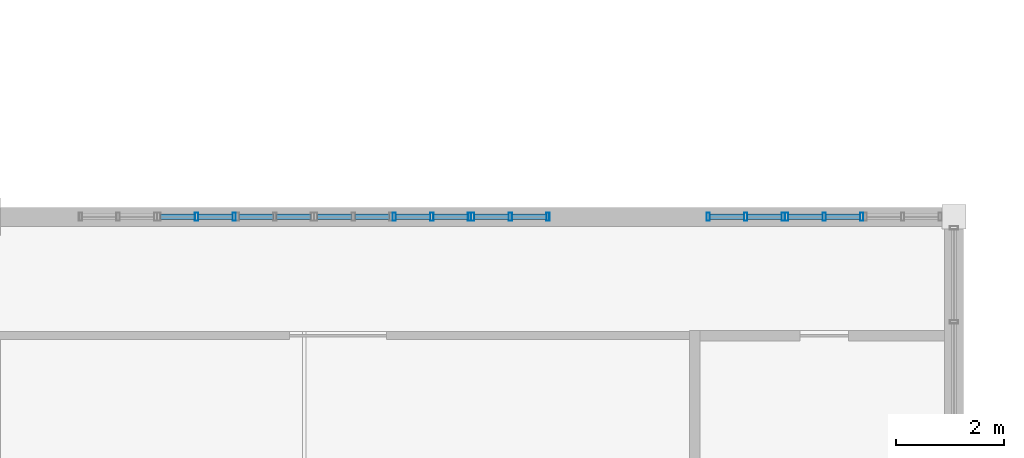
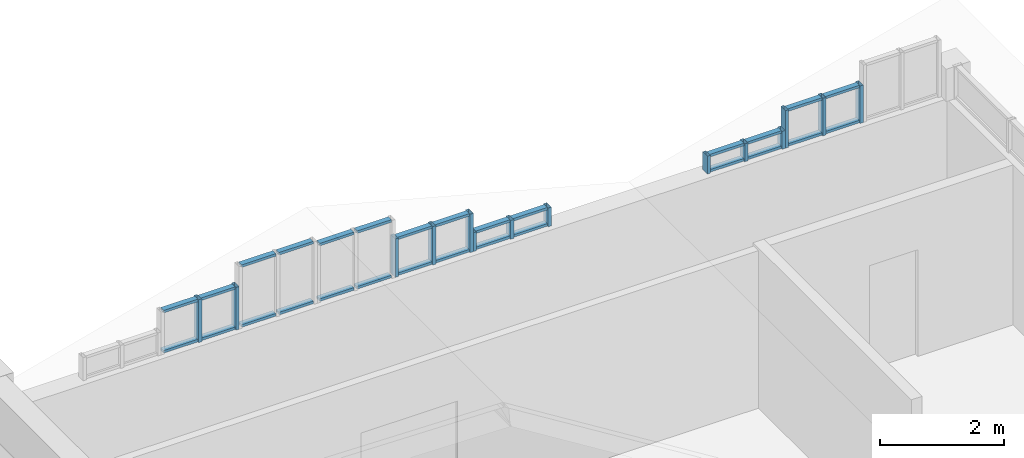
# One storey, part 49 of 92: 42 members, 7 elements without a shape of their own.
"""IFC4 building model written with IfcOpenShell, lengths in metres."""

from ifc_helpers import new_model, si_unit, direction, frame, origin, origin_2d, place, context, subcontext, project, spatial, hollow_rectangle, extrude, material, material_profile, profile_set, type_object, element, aggregate, save


model = new_model("IFC4")

# Units and contexts
model_context = context("Model", 3, precision=1e-05, world=origin(), true_north=direction((0.0, 1.0)))
body_context = subcontext(model_context, "Body", "Model", "MODEL_VIEW")
ifc_project = project(units=[si_unit("LENGTHUNIT", "METRE"), si_unit("AREAUNIT", "SQUARE_METRE"), si_unit("VOLUMEUNIT", "CUBIC_METRE"), si_unit("PLANEANGLEUNIT", "RADIAN"), si_unit("MASSUNIT", "GRAM", prefix="KILO")], contexts=[model_context])

# Site, building, storey
site_placement = place(None, origin())
site = spatial("IfcSite", under=ifc_project, at=site_placement, CompositionType="ELEMENT")
building_placement = place(site_placement, origin())
building = spatial("IfcBuilding", under=site, at=building_placement, Name="Laocheng Heights Fire and Rescue Headquarters", CompositionType="ELEMENT")
storey_placement = place(building_placement, frame((0.0, 0.0, 12.60009765625)))
storey = spatial("IfcBuildingStorey", under=building, at=storey_placement, Name="L03", CompositionType="ELEMENT", Elevation=12.60009765625)

# Curtain wall, members
ifc_material_1 = material(Name="Dark anodised aluminium unitised curtain wall, low-e double glazing", Category="aluminium")
curtain_wall_type_1 = type_object("IfcCurtainWallType", Name="CW 1452 x 841 THEATRE GABLE UNIT", PredefinedType="NOTDEFINED", material=ifc_material_1)
curtain_wall_1_placement = place(storey_placement, origin())
curtain_wall_1 = element("IfcCurtainWall", 1, at=curtain_wall_1_placement, inside=storey, type_object=curtain_wall_type_1, Name="X7-V THEATRE NORTH GABLE 3", PredefinedType="NOTDEFINED")
ifc_material_2 = material(Name="Dark anodised aluminium 6063-T5 extrusion", Category="aluminium")
ifc_material_profile_1 = material_profile(ifc_material_2, hollow_rectangle(XDim=0.14990234375, YDim=0.06005859375, WallThickness=0.0029296875, at=origin_2d()), Name="AL MULLION 150x60x3 THEATRE GABLE UNIT")
ifc_profile_set_1 = profile_set([ifc_material_profile_1], Name="Dark anodised aluminium 6063-T5 extrusion")
member_type_1 = type_object("IfcMemberType", Name="AL MULLION 150x60x3 THEATRE GABLE UNIT", PredefinedType="MULLION", material=ifc_profile_set_1)
member_1_placement = place(storey_placement, frame((15.980224609375, 57.60009765625, 3.158447265625), z_axis=(0.0, 0.0, 1.0), x_axis=(0.0, 1.0, 0.0)))
member_1 = element("IfcMember", 2, at=member_1_placement, type_object=member_type_1, Name="X7-V mullion 2", PredefinedType="MULLION", context=body_context, shape_type="SweptSolid", body=[
    extrude(hollow_rectangle(XDim=0.14990234375, YDim=0.06005859375, WallThickness=0.0029296875, at=origin_2d()), origin(), (0.0, 0.0, 1.0), 0.840576171875),
])
member_2_placement = place(storey_placement, frame((16.67626953125, 57.60009765625, 3.158447265625), z_axis=(0.0, 0.0, 1.0), x_axis=(0.0, 1.0, 0.0)))
member_2 = element("IfcMember", 3, at=member_2_placement, type_object=member_type_1, Name="X7-V mullion 3", PredefinedType="MULLION", context=body_context, shape_type="SweptSolid", body=[
    extrude(hollow_rectangle(XDim=0.14990234375, YDim=0.06005859375, WallThickness=0.0029296875, at=origin_2d()), origin(), (0.0, 0.0, 1.0), 0.840576171875),
])

ifc_material_3 = material(Name="Dark anodised aluminium unitised curtain wall, low-e double glazing", Category="aluminium")
curtain_wall_type_2 = type_object("IfcCurtainWallType", Name="CW 1452 x 756 THEATRE GABLE UNIT", PredefinedType="NOTDEFINED", material=ifc_material_3)
curtain_wall_2_placement = place(storey_placement, origin())
curtain_wall_2 = element("IfcCurtainWall", 4, at=curtain_wall_2_placement, inside=storey, type_object=curtain_wall_type_2, Name="X10-V THEATRE NORTH GABLE 6", PredefinedType="NOTDEFINED")
member_3_placement = place(storey_placement, frame((19.640380859375, 57.60009765625, 3.158447265625), z_axis=(0.0, 0.0, 1.0), x_axis=(0.0, 1.0, 0.0)))
member_3 = element("IfcMember", 5, at=member_3_placement, type_object=member_type_1, Name="X10-V mullion 1", PredefinedType="MULLION", context=body_context, shape_type="SweptSolid", body=[
    extrude(hollow_rectangle(XDim=0.14990234375, YDim=0.06005859375, WallThickness=0.0029296875, at=origin_2d()), origin(), (0.0, 0.0, 1.0), 0.756103515625),
])
member_4_placement = place(storey_placement, frame((20.33642578125, 57.60009765625, 3.158447265625), z_axis=(0.0, 0.0, 1.0), x_axis=(0.0, 1.0, 0.0)))
member_4 = element("IfcMember", 6, at=member_4_placement, type_object=member_type_1, Name="X10-V mullion 2", PredefinedType="MULLION", context=body_context, shape_type="SweptSolid", body=[
    extrude(hollow_rectangle(XDim=0.14990234375, YDim=0.06005859375, WallThickness=0.0029296875, at=origin_2d()), origin(), (0.0, 0.0, 1.0), 0.756103515625),
])
member_5_placement = place(storey_placement, frame((21.032470703125, 57.60009765625, 3.158447265625), z_axis=(0.0, 0.0, 1.0), x_axis=(0.0, 1.0, 0.0)))
member_5 = element("IfcMember", 7, at=member_5_placement, type_object=member_type_1, Name="X10-V mullion 3", PredefinedType="MULLION", context=body_context, shape_type="SweptSolid", body=[
    extrude(hollow_rectangle(XDim=0.14990234375, YDim=0.06005859375, WallThickness=0.0029296875, at=origin_2d()), origin(), (0.0, 0.0, 1.0), 0.756103515625),
])

ifc_material_4 = material(Name="Dark anodised aluminium unitised curtain wall, low-e double glazing", Category="aluminium")
curtain_wall_type_3 = type_object("IfcCurtainWallType", Name="CW 1452 x 369 THEATRE GABLE UNIT", PredefinedType="NOTDEFINED", material=ifc_material_4)
curtain_wall_3_placement = place(storey_placement, origin())
curtain_wall_3 = element("IfcCurtainWall", 8, at=curtain_wall_3_placement, inside=storey, type_object=curtain_wall_type_3, Name="X11-V THEATRE NORTH GABLE 7", PredefinedType="NOTDEFINED")
member_6_placement = place(storey_placement, frame((21.092529296875, 57.60009765625, 3.158447265625), z_axis=(0.0, 0.0, 1.0), x_axis=(0.0, 1.0, 0.0)))
member_6 = element("IfcMember", 9, at=member_6_placement, type_object=member_type_1, Name="X11-V mullion 1", PredefinedType="MULLION", context=body_context, shape_type="SweptSolid", body=[
    extrude(hollow_rectangle(XDim=0.14990234375, YDim=0.06005859375, WallThickness=0.0029296875, at=origin_2d()), origin(), (0.0, 0.0, 1.0), 0.368896484375),
])
member_7_placement = place(storey_placement, frame((21.78857421875, 57.60009765625, 3.158447265625), z_axis=(0.0, 0.0, 1.0), x_axis=(0.0, 1.0, 0.0)))
member_7 = element("IfcMember", 10, at=member_7_placement, type_object=member_type_1, Name="X11-V mullion 2", PredefinedType="MULLION", context=body_context, shape_type="SweptSolid", body=[
    extrude(hollow_rectangle(XDim=0.14990234375, YDim=0.06005859375, WallThickness=0.0029296875, at=origin_2d()), origin(), (0.0, 0.0, 1.0), 0.368896484375),
])
member_8_placement = place(storey_placement, frame((22.484619140625, 57.60009765625, 3.158447265625), z_axis=(0.0, 0.0, 1.0), x_axis=(0.0, 1.0, 0.0)))
member_8 = element("IfcMember", 11, at=member_8_placement, type_object=member_type_1, Name="X11-V mullion 3", PredefinedType="MULLION", context=body_context, shape_type="SweptSolid", body=[
    extrude(hollow_rectangle(XDim=0.14990234375, YDim=0.06005859375, WallThickness=0.0029296875, at=origin_2d()), origin(), (0.0, 0.0, 1.0), 0.368896484375),
])

ifc_material_5 = material(Name="Dark anodised aluminium unitised curtain wall, low-e double glazing", Category="aluminium")
curtain_wall_type_4 = type_object("IfcCurtainWallType", Name="CW 1452 x 351 THEATRE GABLE UNIT", PredefinedType="NOTDEFINED", material=ifc_material_5)
curtain_wall_4_placement = place(storey_placement, origin())
curtain_wall_4 = element("IfcCurtainWall", 12, at=curtain_wall_4_placement, inside=storey, type_object=curtain_wall_type_4, Name="X12-V THEATRE NORTH GABLE 10", PredefinedType="NOTDEFINED")
member_9_placement = place(storey_placement, frame((25.44873046875, 57.60009765625, 3.158447265625), z_axis=(0.0, 0.0, 1.0), x_axis=(0.0, 1.0, 0.0)))
member_9 = element("IfcMember", 13, at=member_9_placement, type_object=member_type_1, Name="X12-V mullion 1", PredefinedType="MULLION", context=body_context, shape_type="SweptSolid", body=[
    extrude(hollow_rectangle(XDim=0.14990234375, YDim=0.06005859375, WallThickness=0.0029296875, at=origin_2d()), origin(), (0.0, 0.0, 1.0), 0.35107421875),
])
member_10_placement = place(storey_placement, frame((26.144775390625, 57.60009765625, 3.158447265625), z_axis=(0.0, 0.0, 1.0), x_axis=(0.0, 1.0, 0.0)))
member_10 = element("IfcMember", 14, at=member_10_placement, type_object=member_type_1, Name="X12-V mullion 2", PredefinedType="MULLION", context=body_context, shape_type="SweptSolid", body=[
    extrude(hollow_rectangle(XDim=0.14990234375, YDim=0.06005859375, WallThickness=0.0029296875, at=origin_2d()), origin(), (0.0, 0.0, 1.0), 0.35107421875),
])
member_11_placement = place(storey_placement, frame((26.8408203125, 57.60009765625, 3.158447265625), z_axis=(0.0, 0.0, 1.0), x_axis=(0.0, 1.0, 0.0)))
member_11 = element("IfcMember", 15, at=member_11_placement, type_object=member_type_1, Name="X12-V mullion 3", PredefinedType="MULLION", context=body_context, shape_type="SweptSolid", body=[
    extrude(hollow_rectangle(XDim=0.14990234375, YDim=0.06005859375, WallThickness=0.0029296875, at=origin_2d()), origin(), (0.0, 0.0, 1.0), 0.35107421875),
])

ifc_material_6 = material(Name="Dark anodised aluminium unitised curtain wall, low-e double glazing", Category="aluminium")
curtain_wall_type_5 = type_object("IfcCurtainWallType", Name="CW 1452 x 738 THEATRE GABLE UNIT", PredefinedType="NOTDEFINED", material=ifc_material_6)
curtain_wall_5_placement = place(storey_placement, origin())
curtain_wall_5 = element("IfcCurtainWall", 16, at=curtain_wall_5_placement, inside=storey, type_object=curtain_wall_type_5, Name="X13-V THEATRE NORTH GABLE 11", PredefinedType="NOTDEFINED")
member_12_placement = place(storey_placement, frame((26.90087890625, 57.60009765625, 3.158447265625), z_axis=(0.0, 0.0, 1.0), x_axis=(0.0, 1.0, 0.0)))
member_12 = element("IfcMember", 17, at=member_12_placement, type_object=member_type_1, Name="X13-V mullion 1", PredefinedType="MULLION", context=body_context, shape_type="SweptSolid", body=[
    extrude(hollow_rectangle(XDim=0.14990234375, YDim=0.06005859375, WallThickness=0.0029296875, at=origin_2d()), origin(), (0.0, 0.0, 1.0), 0.73828125),
])
member_13_placement = place(storey_placement, frame((27.596923828125, 57.60009765625, 3.158447265625), z_axis=(0.0, 0.0, 1.0), x_axis=(0.0, 1.0, 0.0)))
member_13 = element("IfcMember", 18, at=member_13_placement, type_object=member_type_1, Name="X13-V mullion 2", PredefinedType="MULLION", context=body_context, shape_type="SweptSolid", body=[
    extrude(hollow_rectangle(XDim=0.14990234375, YDim=0.06005859375, WallThickness=0.0029296875, at=origin_2d()), origin(), (0.0, 0.0, 1.0), 0.73828125),
])
member_14_placement = place(storey_placement, frame((28.29296875, 57.60009765625, 3.158447265625), z_axis=(0.0, 0.0, 1.0), x_axis=(0.0, 1.0, 0.0)))
member_14 = element("IfcMember", 19, at=member_14_placement, type_object=member_type_1, Name="X13-V mullion 3", PredefinedType="MULLION", context=body_context, shape_type="SweptSolid", body=[
    extrude(hollow_rectangle(XDim=0.14990234375, YDim=0.06005859375, WallThickness=0.0029296875, at=origin_2d()), origin(), (0.0, 0.0, 1.0), 0.73828125),
])

# Member
ifc_material_7 = material(Name="Dark anodised aluminium 6063-T5 extrusion", Category="aluminium")
ifc_material_profile_2 = material_profile(ifc_material_7, hollow_rectangle(XDim=0.10009765625, YDim=0.050048828125, WallThickness=0.0029296875, at=origin_2d()), Name="AL TRANSOM 100x50x3 THEATRE GABLE UNIT")
ifc_profile_set_2 = profile_set([ifc_material_profile_2], Name="Dark anodised aluminium 6063-T5 extrusion")
member_type_2 = type_object("IfcMemberType", Name="AL TRANSOM 100x50x3 THEATRE GABLE UNIT", PredefinedType="USERDEFINED", material=ifc_profile_set_2)
member_15_placement = place(storey_placement, frame((15.314208984375, 57.60009765625, 3.183349609375), z_axis=(1.0, 0.0, 0.0), x_axis=(0.0, 1.0, 0.0)))
member_15 = element("IfcMember", 20, at=member_15_placement, type_object=member_type_2, Name="X7-V transom 1.1", ObjectType="TRANSOM", PredefinedType="USERDEFINED", context=body_context, shape_type="SweptSolid", body=[
    extrude(hollow_rectangle(XDim=0.10009765625, YDim=0.050048828125, WallThickness=0.0029296875, at=origin_2d()), origin(), (0.0, 0.0, 1.0), 0.635986328125),
])

member_16_placement = place(storey_placement, frame((15.314208984375, 57.60009765625, 3.973876953125), z_axis=(1.0, 0.0, 0.0), x_axis=(0.0, 1.0, 0.0)))
member_16 = element("IfcMember", 21, at=member_16_placement, type_object=member_type_2, Name="X7-V transom 1.2", ObjectType="TRANSOM", PredefinedType="USERDEFINED", context=body_context, shape_type="SweptSolid", body=[
    extrude(hollow_rectangle(XDim=0.10009765625, YDim=0.050048828125, WallThickness=0.0029296875, at=origin_2d()), origin(), (0.0, 0.0, 1.0), 0.635986328125),
])

member_17_placement = place(storey_placement, frame((16.01025390625, 57.60009765625, 3.183349609375), z_axis=(1.0, 0.0, 0.0), x_axis=(0.0, 1.0, 0.0)))
member_17 = element("IfcMember", 22, at=member_17_placement, type_object=member_type_2, Name="X7-V transom 2.1", ObjectType="TRANSOM", PredefinedType="USERDEFINED", context=body_context, shape_type="SweptSolid", body=[
    extrude(hollow_rectangle(XDim=0.10009765625, YDim=0.050048828125, WallThickness=0.0029296875, at=origin_2d()), origin(), (0.0, 0.0, 1.0), 0.635986328125),
])

member_18_placement = place(storey_placement, frame((16.01025390625, 57.60009765625, 3.973876953125), z_axis=(1.0, 0.0, 0.0), x_axis=(0.0, 1.0, 0.0)))
member_18 = element("IfcMember", 23, at=member_18_placement, type_object=member_type_2, Name="X7-V transom 2.2", ObjectType="TRANSOM", PredefinedType="USERDEFINED", context=body_context, shape_type="SweptSolid", body=[
    extrude(hollow_rectangle(XDim=0.10009765625, YDim=0.050048828125, WallThickness=0.0029296875, at=origin_2d()), origin(), (0.0, 0.0, 1.0), 0.635986328125),
])

aggregate(curtain_wall_1, [member_1, member_2, member_15, member_16, member_17, member_18])

# Curtain wall, members
ifc_material_8 = material(Name="Dark anodised aluminium unitised curtain wall, low-e double glazing", Category="aluminium")
curtain_wall_type_6 = type_object("IfcCurtainWallType", Name="CW 1452 x 1228 THEATRE GABLE UNIT", PredefinedType="NOTDEFINED", material=ifc_material_8)
curtain_wall_6_placement = place(storey_placement, origin())
curtain_wall_6 = element("IfcCurtainWall", 24, at=curtain_wall_6_placement, inside=storey, type_object=curtain_wall_type_6, Name="X8-V THEATRE NORTH GABLE 4", PredefinedType="NOTDEFINED")
member_19_placement = place(storey_placement, frame((16.76611328125, 57.60009765625, 3.183349609375), z_axis=(1.0, 0.0, 0.0), x_axis=(0.0, 1.0, 0.0)))
member_19 = element("IfcMember", 25, at=member_19_placement, type_object=member_type_2, Name="X8-V transom 1.1", ObjectType="TRANSOM", PredefinedType="USERDEFINED", context=body_context, shape_type="SweptSolid", body=[
    extrude(hollow_rectangle(XDim=0.10009765625, YDim=0.050048828125, WallThickness=0.0029296875, at=origin_2d()), origin(), (0.0, 0.0, 1.0), 0.63623046875),
])
member_20_placement = place(storey_placement, frame((16.76611328125, 57.60009765625, 4.361083984375), z_axis=(1.0, 0.0, 0.0), x_axis=(0.0, 1.0, 0.0)))
member_20 = element("IfcMember", 26, at=member_20_placement, type_object=member_type_2, Name="X8-V transom 1.2", ObjectType="TRANSOM", PredefinedType="USERDEFINED", context=body_context, shape_type="SweptSolid", body=[
    extrude(hollow_rectangle(XDim=0.10009765625, YDim=0.050048828125, WallThickness=0.0029296875, at=origin_2d()), origin(), (0.0, 0.0, 1.0), 0.63623046875),
])
member_21_placement = place(storey_placement, frame((17.462158203125, 57.60009765625, 3.183349609375), z_axis=(1.0, 0.0, 0.0), x_axis=(0.0, 1.0, 0.0)))
member_21 = element("IfcMember", 27, at=member_21_placement, type_object=member_type_2, Name="X8-V transom 2.1", ObjectType="TRANSOM", PredefinedType="USERDEFINED", context=body_context, shape_type="SweptSolid", body=[
    extrude(hollow_rectangle(XDim=0.10009765625, YDim=0.050048828125, WallThickness=0.0029296875, at=origin_2d()), origin(), (0.0, 0.0, 1.0), 0.63623046875),
])
member_22_placement = place(storey_placement, frame((17.462158203125, 57.60009765625, 4.361083984375), z_axis=(1.0, 0.0, 0.0), x_axis=(0.0, 1.0, 0.0)))
member_22 = element("IfcMember", 28, at=member_22_placement, type_object=member_type_2, Name="X8-V transom 2.2", ObjectType="TRANSOM", PredefinedType="USERDEFINED", context=body_context, shape_type="SweptSolid", body=[
    extrude(hollow_rectangle(XDim=0.10009765625, YDim=0.050048828125, WallThickness=0.0029296875, at=origin_2d()), origin(), (0.0, 0.0, 1.0), 0.63623046875),
])
aggregate(curtain_wall_6, [member_19, member_20, member_21, member_22])

ifc_material_9 = material(Name="Dark anodised aluminium unitised curtain wall, low-e double glazing", Category="aluminium")
curtain_wall_type_7 = type_object("IfcCurtainWallType", Name="CW 1452 x 1143 THEATRE GABLE UNIT", PredefinedType="NOTDEFINED", material=ifc_material_9)
curtain_wall_7_placement = place(storey_placement, origin())
curtain_wall_7 = element("IfcCurtainWall", 29, at=curtain_wall_7_placement, inside=storey, type_object=curtain_wall_type_7, Name="X9-V THEATRE NORTH GABLE 5", PredefinedType="NOTDEFINED")
member_23_placement = place(storey_placement, frame((18.21826171875, 57.60009765625, 3.183349609375), z_axis=(1.0, 0.0, 0.0), x_axis=(0.0, 1.0, 0.0)))
member_23 = element("IfcMember", 30, at=member_23_placement, type_object=member_type_2, Name="X9-V transom 1.1", ObjectType="TRANSOM", PredefinedType="USERDEFINED", context=body_context, shape_type="SweptSolid", body=[
    extrude(hollow_rectangle(XDim=0.10009765625, YDim=0.050048828125, WallThickness=0.0029296875, at=origin_2d()), origin(), (0.0, 0.0, 1.0), 0.635986328125),
])
member_24_placement = place(storey_placement, frame((18.21826171875, 57.60009765625, 4.276611328125), z_axis=(1.0, 0.0, 0.0), x_axis=(0.0, 1.0, 0.0)))
member_24 = element("IfcMember", 31, at=member_24_placement, type_object=member_type_2, Name="X9-V transom 1.2", ObjectType="TRANSOM", PredefinedType="USERDEFINED", context=body_context, shape_type="SweptSolid", body=[
    extrude(hollow_rectangle(XDim=0.10009765625, YDim=0.050048828125, WallThickness=0.0029296875, at=origin_2d()), origin(), (0.0, 0.0, 1.0), 0.635986328125),
])
member_25_placement = place(storey_placement, frame((18.914306640625, 57.60009765625, 3.183349609375), z_axis=(1.0, 0.0, 0.0), x_axis=(0.0, 1.0, 0.0)))
member_25 = element("IfcMember", 32, at=member_25_placement, type_object=member_type_2, Name="X9-V transom 2.1", ObjectType="TRANSOM", PredefinedType="USERDEFINED", context=body_context, shape_type="SweptSolid", body=[
    extrude(hollow_rectangle(XDim=0.10009765625, YDim=0.050048828125, WallThickness=0.0029296875, at=origin_2d()), origin(), (0.0, 0.0, 1.0), 0.635986328125),
])
member_26_placement = place(storey_placement, frame((18.914306640625, 57.60009765625, 4.276611328125), z_axis=(1.0, 0.0, 0.0), x_axis=(0.0, 1.0, 0.0)))
member_26 = element("IfcMember", 33, at=member_26_placement, type_object=member_type_2, Name="X9-V transom 2.2", ObjectType="TRANSOM", PredefinedType="USERDEFINED", context=body_context, shape_type="SweptSolid", body=[
    extrude(hollow_rectangle(XDim=0.10009765625, YDim=0.050048828125, WallThickness=0.0029296875, at=origin_2d()), origin(), (0.0, 0.0, 1.0), 0.635986328125),
])
aggregate(curtain_wall_7, [member_23, member_24, member_25, member_26])

# Member
member_27_placement = place(storey_placement, frame((19.67041015625, 57.60009765625, 3.183349609375), z_axis=(1.0, 0.0, 0.0), x_axis=(0.0, 1.0, 0.0)))
member_27 = element("IfcMember", 34, at=member_27_placement, type_object=member_type_2, Name="X10-V transom 1.1", ObjectType="TRANSOM", PredefinedType="USERDEFINED", context=body_context, shape_type="SweptSolid", body=[
    extrude(hollow_rectangle(XDim=0.10009765625, YDim=0.050048828125, WallThickness=0.0029296875, at=origin_2d()), origin(), (0.0, 0.0, 1.0), 0.635986328125),
])

member_28_placement = place(storey_placement, frame((19.67041015625, 57.60009765625, 3.889404296875), z_axis=(1.0, 0.0, 0.0), x_axis=(0.0, 1.0, 0.0)))
member_28 = element("IfcMember", 35, at=member_28_placement, type_object=member_type_2, Name="X10-V transom 1.2", ObjectType="TRANSOM", PredefinedType="USERDEFINED", context=body_context, shape_type="SweptSolid", body=[
    extrude(hollow_rectangle(XDim=0.10009765625, YDim=0.050048828125, WallThickness=0.0029296875, at=origin_2d()), origin(), (0.0, 0.0, 1.0), 0.635986328125),
])

member_29_placement = place(storey_placement, frame((20.366455078125, 57.60009765625, 3.183349609375), z_axis=(1.0, 0.0, 0.0), x_axis=(0.0, 1.0, 0.0)))
member_29 = element("IfcMember", 36, at=member_29_placement, type_object=member_type_2, Name="X10-V transom 2.1", ObjectType="TRANSOM", PredefinedType="USERDEFINED", context=body_context, shape_type="SweptSolid", body=[
    extrude(hollow_rectangle(XDim=0.10009765625, YDim=0.050048828125, WallThickness=0.0029296875, at=origin_2d()), origin(), (0.0, 0.0, 1.0), 0.635986328125),
])

member_30_placement = place(storey_placement, frame((20.366455078125, 57.60009765625, 3.889404296875), z_axis=(1.0, 0.0, 0.0), x_axis=(0.0, 1.0, 0.0)))
member_30 = element("IfcMember", 37, at=member_30_placement, type_object=member_type_2, Name="X10-V transom 2.2", ObjectType="TRANSOM", PredefinedType="USERDEFINED", context=body_context, shape_type="SweptSolid", body=[
    extrude(hollow_rectangle(XDim=0.10009765625, YDim=0.050048828125, WallThickness=0.0029296875, at=origin_2d()), origin(), (0.0, 0.0, 1.0), 0.635986328125),
])

aggregate(curtain_wall_2, [member_3, member_4, member_5, member_27, member_28, member_29, member_30])

member_31_placement = place(storey_placement, frame((21.12255859375, 57.60009765625, 3.183349609375), z_axis=(1.0, 0.0, 0.0), x_axis=(0.0, 1.0, 0.0)))
member_31 = element("IfcMember", 38, at=member_31_placement, type_object=member_type_2, Name="X11-V transom 1.1", ObjectType="TRANSOM", PredefinedType="USERDEFINED", context=body_context, shape_type="SweptSolid", body=[
    extrude(hollow_rectangle(XDim=0.10009765625, YDim=0.050048828125, WallThickness=0.0029296875, at=origin_2d()), origin(), (0.0, 0.0, 1.0), 0.635986328125),
])

member_32_placement = place(storey_placement, frame((21.12255859375, 57.60009765625, 3.502197265625), z_axis=(1.0, 0.0, 0.0), x_axis=(0.0, 1.0, 0.0)))
member_32 = element("IfcMember", 39, at=member_32_placement, type_object=member_type_2, Name="X11-V transom 1.2", ObjectType="TRANSOM", PredefinedType="USERDEFINED", context=body_context, shape_type="SweptSolid", body=[
    extrude(hollow_rectangle(XDim=0.10009765625, YDim=0.050048828125, WallThickness=0.0029296875, at=origin_2d()), origin(), (0.0, 0.0, 1.0), 0.635986328125),
])

member_33_placement = place(storey_placement, frame((21.818603515625, 57.60009765625, 3.183349609375), z_axis=(1.0, 0.0, 0.0), x_axis=(0.0, 1.0, 0.0)))
member_33 = element("IfcMember", 40, at=member_33_placement, type_object=member_type_2, Name="X11-V transom 2.1", ObjectType="TRANSOM", PredefinedType="USERDEFINED", context=body_context, shape_type="SweptSolid", body=[
    extrude(hollow_rectangle(XDim=0.10009765625, YDim=0.050048828125, WallThickness=0.0029296875, at=origin_2d()), origin(), (0.0, 0.0, 1.0), 0.635986328125),
])

member_34_placement = place(storey_placement, frame((21.818603515625, 57.60009765625, 3.502197265625), z_axis=(1.0, 0.0, 0.0), x_axis=(0.0, 1.0, 0.0)))
member_34 = element("IfcMember", 41, at=member_34_placement, type_object=member_type_2, Name="X11-V transom 2.2", ObjectType="TRANSOM", PredefinedType="USERDEFINED", context=body_context, shape_type="SweptSolid", body=[
    extrude(hollow_rectangle(XDim=0.10009765625, YDim=0.050048828125, WallThickness=0.0029296875, at=origin_2d()), origin(), (0.0, 0.0, 1.0), 0.635986328125),
])

aggregate(curtain_wall_3, [member_6, member_7, member_8, member_31, member_32, member_33, member_34])

member_35_placement = place(storey_placement, frame((25.478759765625, 57.60009765625, 3.183349609375), z_axis=(1.0, 0.0, 0.0), x_axis=(0.0, 1.0, 0.0)))
member_35 = element("IfcMember", 42, at=member_35_placement, type_object=member_type_2, Name="X12-V transom 1.1", ObjectType="TRANSOM", PredefinedType="USERDEFINED", context=body_context, shape_type="SweptSolid", body=[
    extrude(hollow_rectangle(XDim=0.10009765625, YDim=0.050048828125, WallThickness=0.0029296875, at=origin_2d()), origin(), (0.0, 0.0, 1.0), 0.635986328125),
])

member_36_placement = place(storey_placement, frame((25.478759765625, 57.60009765625, 3.484619140625), z_axis=(1.0, 0.0, 0.0), x_axis=(0.0, 1.0, 0.0)))
member_36 = element("IfcMember", 43, at=member_36_placement, type_object=member_type_2, Name="X12-V transom 1.2", ObjectType="TRANSOM", PredefinedType="USERDEFINED", context=body_context, shape_type="SweptSolid", body=[
    extrude(hollow_rectangle(XDim=0.10009765625, YDim=0.050048828125, WallThickness=0.0029296875, at=origin_2d()), origin(), (0.0, 0.0, 1.0), 0.635986328125),
])

member_37_placement = place(storey_placement, frame((26.1748046875, 57.60009765625, 3.183349609375), z_axis=(1.0, 0.0, 0.0), x_axis=(0.0, 1.0, 0.0)))
member_37 = element("IfcMember", 44, at=member_37_placement, type_object=member_type_2, Name="X12-V transom 2.1", ObjectType="TRANSOM", PredefinedType="USERDEFINED", context=body_context, shape_type="SweptSolid", body=[
    extrude(hollow_rectangle(XDim=0.10009765625, YDim=0.050048828125, WallThickness=0.0029296875, at=origin_2d()), origin(), (0.0, 0.0, 1.0), 0.635986328125),
])

member_38_placement = place(storey_placement, frame((26.1748046875, 57.60009765625, 3.484619140625), z_axis=(1.0, 0.0, 0.0), x_axis=(0.0, 1.0, 0.0)))
member_38 = element("IfcMember", 45, at=member_38_placement, type_object=member_type_2, Name="X12-V transom 2.2", ObjectType="TRANSOM", PredefinedType="USERDEFINED", context=body_context, shape_type="SweptSolid", body=[
    extrude(hollow_rectangle(XDim=0.10009765625, YDim=0.050048828125, WallThickness=0.0029296875, at=origin_2d()), origin(), (0.0, 0.0, 1.0), 0.635986328125),
])

aggregate(curtain_wall_4, [member_9, member_10, member_11, member_35, member_36, member_37, member_38])

member_39_placement = place(storey_placement, frame((26.930908203125, 57.60009765625, 3.183349609375), z_axis=(1.0, 0.0, 0.0), x_axis=(0.0, 1.0, 0.0)))
member_39 = element("IfcMember", 46, at=member_39_placement, type_object=member_type_2, Name="X13-V transom 1.1", ObjectType="TRANSOM", PredefinedType="USERDEFINED", context=body_context, shape_type="SweptSolid", body=[
    extrude(hollow_rectangle(XDim=0.10009765625, YDim=0.050048828125, WallThickness=0.0029296875, at=origin_2d()), origin(), (0.0, 0.0, 1.0), 0.635986328125),
])

member_40_placement = place(storey_placement, frame((26.930908203125, 57.60009765625, 3.87158203125), z_axis=(1.0, 0.0, 0.0), x_axis=(0.0, 1.0, 0.0)))
member_40 = element("IfcMember", 47, at=member_40_placement, type_object=member_type_2, Name="X13-V transom 1.2", ObjectType="TRANSOM", PredefinedType="USERDEFINED", context=body_context, shape_type="SweptSolid", body=[
    extrude(hollow_rectangle(XDim=0.10009765625, YDim=0.050048828125, WallThickness=0.0029296875, at=origin_2d()), origin(), (0.0, 0.0, 1.0), 0.635986328125),
])

member_41_placement = place(storey_placement, frame((27.626953125, 57.60009765625, 3.183349609375), z_axis=(1.0, 0.0, 0.0), x_axis=(0.0, 1.0, 0.0)))
member_41 = element("IfcMember", 48, at=member_41_placement, type_object=member_type_2, Name="X13-V transom 2.1", ObjectType="TRANSOM", PredefinedType="USERDEFINED", context=body_context, shape_type="SweptSolid", body=[
    extrude(hollow_rectangle(XDim=0.10009765625, YDim=0.050048828125, WallThickness=0.0029296875, at=origin_2d()), origin(), (0.0, 0.0, 1.0), 0.635986328125),
])

member_42_placement = place(storey_placement, frame((27.626953125, 57.60009765625, 3.87158203125), z_axis=(1.0, 0.0, 0.0), x_axis=(0.0, 1.0, 0.0)))
member_42 = element("IfcMember", 49, at=member_42_placement, type_object=member_type_2, Name="X13-V transom 2.2", ObjectType="TRANSOM", PredefinedType="USERDEFINED", context=body_context, shape_type="SweptSolid", body=[
    extrude(hollow_rectangle(XDim=0.10009765625, YDim=0.050048828125, WallThickness=0.0029296875, at=origin_2d()), origin(), (0.0, 0.0, 1.0), 0.635986328125),
])

aggregate(curtain_wall_5, [member_12, member_13, member_14, member_39, member_40, member_41, member_42])

save(model, "model.ifc")
